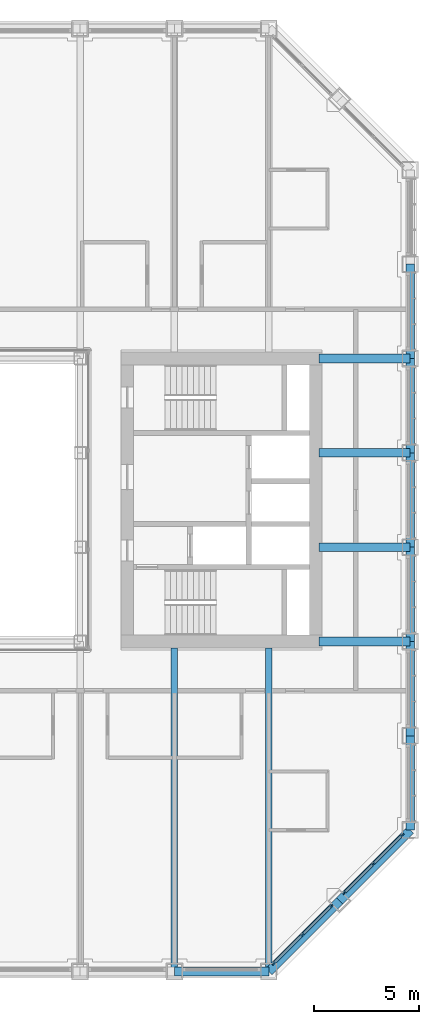
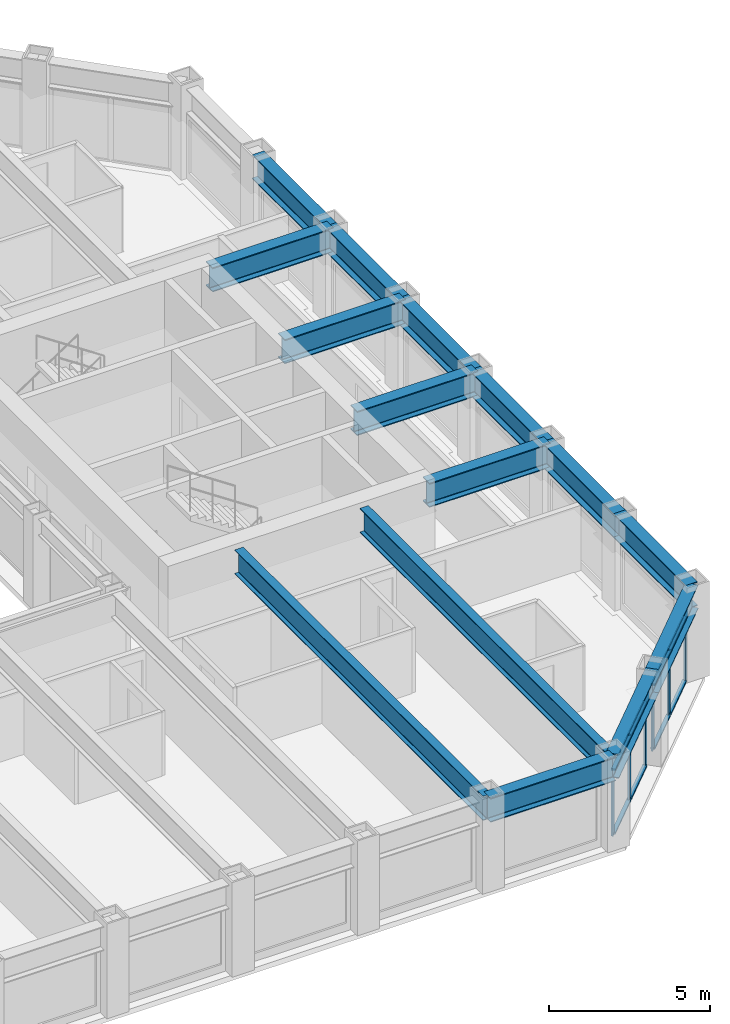
# One storey, part 6 of 17: 15 beams, 14 members, 2 elements without a shape of their own.
"""IFC4 building model written with IfcOpenShell, lengths in metres."""

from ifc_helpers import new_model, si_unit, direction, frame, origin, origin_2d, place, context, subcontext, project, spatial, rectangle, i_section, extrude, material, material_profile, profile_set, type_object, element, aggregate, save


model = new_model("IFC4")

# Units and contexts
model_context = context("Model", 3, precision=1e-05, world=origin(), true_north=direction((0.0, 1.0)))
body_context = subcontext(model_context, "Body", "Model", "MODEL_VIEW")
ifc_project = project(units=[si_unit("LENGTHUNIT", "METRE"), si_unit("AREAUNIT", "SQUARE_METRE"), si_unit("VOLUMEUNIT", "CUBIC_METRE"), si_unit("PLANEANGLEUNIT", "RADIAN"), si_unit("MASSUNIT", "GRAM", prefix="KILO")], contexts=[model_context])

# Site, building, storey
site_placement = place(None, origin())
site = spatial("IfcSite", under=ifc_project, at=site_placement, CompositionType="ELEMENT")
building_placement = place(site_placement, origin())
building = spatial("IfcBuilding", under=site, at=building_placement, Name="Msasa Ring Tower", CompositionType="ELEMENT")
storey_placement = place(building_placement, frame((0.0, 0.0, 136.39990234375)))
storey = spatial("IfcBuildingStorey", under=building, at=storey_placement, Name="L35", CompositionType="ELEMENT", Elevation=136.39990234375)

# Curtain wall, members
ifc_material_1 = material(Name="Aluminium curtain wall with clear glass", Category="aluminium")
curtain_wall_type = type_object("IfcCurtainWallType", Name="CW-C CHAMFER CORNER CURTAIN WALL", PredefinedType="NOTDEFINED", material=ifc_material_1)
curtain_wall_1_placement = place(storey_placement, origin())
curtain_wall_1 = element("IfcCurtainWall", 1, at=curtain_wall_1_placement, inside=storey, type_object=curtain_wall_type, Name="Chamfer corner curtain wall SE L35", PredefinedType="NOTDEFINED")
ifc_material_2 = material(Name="Aluminium mullion", Category="aluminium")
ifc_material_profile_1 = material_profile(ifc_material_2, rectangle(XDim=0.06494140625, YDim=0.179931640625, at=origin_2d()), Name="AL 65x180")
ifc_profile_set_1 = profile_set([ifc_material_profile_1], Name="Aluminium mullion")
member_type_1 = type_object("IfcMemberType", Name="CW-C MULLION 65x180", PredefinedType="MULLION", material=ifc_profile_set_1)
member_1_placement = place(storey_placement, frame((15.98876953125, -22.119873046875, 0.0), z_axis=(0.0, 0.0, 1.0), x_axis=(-0.707106781187, 0.707106781187, 0.0)))
member_1 = element("IfcMember", 2, at=member_1_placement, type_object=member_type_1, Name="CW-C mullion 1", PredefinedType="MULLION", context=body_context, shape_type="SweptSolid", body=[
    extrude(rectangle(XDim=0.06494140625, YDim=0.179931640625, at=origin_2d()), origin(), (0.0, 0.0, 1.0), 2.47900390625),
])
member_2_placement = place(storey_placement, frame((17.36669921875, -20.74169921875, 0.0), z_axis=(0.0, 0.0, 1.0), x_axis=(-0.707106781187, 0.707106781187, 0.0)))
member_2 = element("IfcMember", 3, at=member_2_placement, type_object=member_type_1, Name="CW-C mullion 2", PredefinedType="MULLION", context=body_context, shape_type="SweptSolid", body=[
    extrude(rectangle(XDim=0.06494140625, YDim=0.179931640625, at=origin_2d()), origin(), (0.0, 0.0, 1.0), 2.47900390625),
])
member_3_placement = place(storey_placement, frame((18.744873046875, -19.36376953125, 0.0), z_axis=(0.0, 0.0, 1.0), x_axis=(-0.707106781187, 0.707106781187, 0.0)))
member_3 = element("IfcMember", 4, at=member_3_placement, type_object=member_type_1, Name="CW-C mullion 3", PredefinedType="MULLION", context=body_context, shape_type="SweptSolid", body=[
    extrude(rectangle(XDim=0.06494140625, YDim=0.179931640625, at=origin_2d()), origin(), (0.0, 0.0, 1.0), 2.47900390625),
])

curtain_wall_2_placement = place(storey_placement, origin())
curtain_wall_2 = element("IfcCurtainWall", 5, at=curtain_wall_2_placement, inside=storey, type_object=curtain_wall_type, Name="Chamfer corner curtain wall SE L35", PredefinedType="NOTDEFINED")
member_4_placement = place(storey_placement, frame((19.36376953125, -18.744873046875, 0.0), z_axis=(0.0, 0.0, 1.0), x_axis=(-0.707106781187, 0.707106781187, 0.0)))
member_4 = element("IfcMember", 6, at=member_4_placement, type_object=member_type_1, Name="CW-C mullion 1", PredefinedType="MULLION", context=body_context, shape_type="SweptSolid", body=[
    extrude(rectangle(XDim=0.06494140625, YDim=0.179931640625, at=origin_2d()), origin(), (0.0, 0.0, 1.0), 2.47900390625),
])
member_5_placement = place(storey_placement, frame((20.74169921875, -17.36669921875, 0.0), z_axis=(0.0, 0.0, 1.0), x_axis=(-0.707106781187, 0.707106781187, 0.0)))
member_5 = element("IfcMember", 7, at=member_5_placement, type_object=member_type_1, Name="CW-C mullion 2", PredefinedType="MULLION", context=body_context, shape_type="SweptSolid", body=[
    extrude(rectangle(XDim=0.06494140625, YDim=0.179931640625, at=origin_2d()), origin(), (0.0, 0.0, 1.0), 2.47900390625),
])
member_6_placement = place(storey_placement, frame((22.119873046875, -15.98876953125, 0.0), z_axis=(0.0, 0.0, 1.0), x_axis=(-0.707106781187, 0.707106781187, 0.0)))
member_6 = element("IfcMember", 8, at=member_6_placement, type_object=member_type_1, Name="CW-C mullion 3", PredefinedType="MULLION", context=body_context, shape_type="SweptSolid", body=[
    extrude(rectangle(XDim=0.06494140625, YDim=0.179931640625, at=origin_2d()), origin(), (0.0, 0.0, 1.0), 2.47900390625),
])

# Member
ifc_material_3 = material(Name="Aluminium transom", Category="aluminium")
ifc_material_profile_2 = material_profile(ifc_material_3, rectangle(XDim=0.139892578125, YDim=0.06494140625, at=origin_2d()), Name="AL 65x140")
ifc_profile_set_2 = profile_set([ifc_material_profile_2], Name="Aluminium transom")
member_type_2 = type_object("IfcMemberType", Name="CW-C TRANSOM 65x140", PredefinedType="USERDEFINED", material=ifc_profile_set_2)
member_7_placement = place(storey_placement, frame((16.01171875, -22.096923828125, 0.03271484375), z_axis=(0.707106781187, 0.707106781187, 0.0), x_axis=(-0.707106781187, 0.707106781187, 0.0)))
member_7 = element("IfcMember", 9, at=member_7_placement, type_object=member_type_2, Name="CW-C transom 1.1", ObjectType="TRANSOM", PredefinedType="USERDEFINED", context=body_context, shape_type="SweptSolid", body=[
    extrude(rectangle(XDim=0.139892578125, YDim=0.06494140625, at=origin_2d()), origin(), (0.0, 0.0, 1.0), 1.8837890625),
])

member_8_placement = place(storey_placement, frame((16.01171875, -22.096923828125, 2.446533203125), z_axis=(0.707106781187, 0.707106781187, 0.0), x_axis=(-0.707106781187, 0.707106781187, 0.0)))
member_8 = element("IfcMember", 10, at=member_8_placement, type_object=member_type_2, Name="CW-C transom 1.2", ObjectType="TRANSOM", PredefinedType="USERDEFINED", context=body_context, shape_type="SweptSolid", body=[
    extrude(rectangle(XDim=0.139892578125, YDim=0.06494140625, at=origin_2d()), origin(), (0.0, 0.0, 1.0), 1.8837890625),
])

member_9_placement = place(storey_placement, frame((17.389892578125, -20.71875, 0.03271484375), z_axis=(0.707106781187, 0.707106781187, 0.0), x_axis=(-0.707106781187, 0.707106781187, 0.0)))
member_9 = element("IfcMember", 11, at=member_9_placement, type_object=member_type_2, Name="CW-C transom 2.1", ObjectType="TRANSOM", PredefinedType="USERDEFINED", context=body_context, shape_type="SweptSolid", body=[
    extrude(rectangle(XDim=0.139892578125, YDim=0.06494140625, at=origin_2d()), origin(), (0.0, 0.0, 1.0), 1.8837890625),
])

member_10_placement = place(storey_placement, frame((17.389892578125, -20.71875, 2.446533203125), z_axis=(0.707106781187, 0.707106781187, 0.0), x_axis=(-0.707106781187, 0.707106781187, 0.0)))
member_10 = element("IfcMember", 12, at=member_10_placement, type_object=member_type_2, Name="CW-C transom 2.2", ObjectType="TRANSOM", PredefinedType="USERDEFINED", context=body_context, shape_type="SweptSolid", body=[
    extrude(rectangle(XDim=0.139892578125, YDim=0.06494140625, at=origin_2d()), origin(), (0.0, 0.0, 1.0), 1.8837890625),
])

aggregate(curtain_wall_1, [member_1, member_2, member_3, member_7, member_8, member_9, member_10])

member_11_placement = place(storey_placement, frame((19.38671875, -18.721923828125, 0.03271484375), z_axis=(0.707106781187, 0.707106781187, 0.0), x_axis=(-0.707106781187, 0.707106781187, 0.0)))
member_11 = element("IfcMember", 13, at=member_11_placement, type_object=member_type_2, Name="CW-C transom 1.1", ObjectType="TRANSOM", PredefinedType="USERDEFINED", context=body_context, shape_type="SweptSolid", body=[
    extrude(rectangle(XDim=0.139892578125, YDim=0.06494140625, at=origin_2d()), origin(), (0.0, 0.0, 1.0), 1.8837890625),
])

member_12_placement = place(storey_placement, frame((19.38671875, -18.721923828125, 2.446533203125), z_axis=(0.707106781187, 0.707106781187, 0.0), x_axis=(-0.707106781187, 0.707106781187, 0.0)))
member_12 = element("IfcMember", 14, at=member_12_placement, type_object=member_type_2, Name="CW-C transom 1.2", ObjectType="TRANSOM", PredefinedType="USERDEFINED", context=body_context, shape_type="SweptSolid", body=[
    extrude(rectangle(XDim=0.139892578125, YDim=0.06494140625, at=origin_2d()), origin(), (0.0, 0.0, 1.0), 1.8837890625),
])

member_13_placement = place(storey_placement, frame((20.764892578125, -17.34375, 0.03271484375), z_axis=(0.707106781187, 0.707106781187, 0.0), x_axis=(-0.707106781187, 0.707106781187, 0.0)))
member_13 = element("IfcMember", 15, at=member_13_placement, type_object=member_type_2, Name="CW-C transom 2.1", ObjectType="TRANSOM", PredefinedType="USERDEFINED", context=body_context, shape_type="SweptSolid", body=[
    extrude(rectangle(XDim=0.139892578125, YDim=0.06494140625, at=origin_2d()), origin(), (0.0, 0.0, 1.0), 1.8837890625),
])

member_14_placement = place(storey_placement, frame((20.764892578125, -17.34375, 2.446533203125), z_axis=(0.707106781187, 0.707106781187, 0.0), x_axis=(-0.707106781187, 0.707106781187, 0.0)))
member_14 = element("IfcMember", 16, at=member_14_placement, type_object=member_type_2, Name="CW-C transom 2.2", ObjectType="TRANSOM", PredefinedType="USERDEFINED", context=body_context, shape_type="SweptSolid", body=[
    extrude(rectangle(XDim=0.139892578125, YDim=0.06494140625, at=origin_2d()), origin(), (0.0, 0.0, 1.0), 1.8837890625),
])

aggregate(curtain_wall_2, [member_4, member_5, member_6, member_11, member_12, member_13, member_14])

# Beams
ifc_material_4 = material(Name="Steel S355", Category="steel")
ifc_material_profile_3 = material_profile(ifc_material_4, i_section(OverallWidth=0.42041015625, OverallDepth=0.9208984375, WebThickness=0.021484375, FlangeThickness=0.03662109375, FilletRadius=0.024169921875, at=origin_2d()), Name="UB 914x419x388")
ifc_profile_set_3 = profile_set([ifc_material_profile_3], Name="Steel S355")
beam_type_1 = type_object("IfcBeamType", Name="FB2 UB 914x419x388", PredefinedType="BEAM", material=ifc_profile_set_3)
for number, where, z_axis, x_axis, name in (
    (17, (22.5, -2.25, 2.939697265625), (-1.0, 0.0, 0.0), (0.0, -1.0, 0.0), "Floor beam E -2.25 under L36"),
    (18, (22.5, 2.25, 2.939697265625), (-1.0, 0.0, 0.0), (0.0, -1.0, 0.0), "Floor beam E +2.25 under L36"),
):
    element("IfcBeam", number, at=place(storey_placement, frame(where, z_axis=z_axis, x_axis=x_axis)), inside=storey, type_object=beam_type_1, Name=name, PredefinedType="BEAM", context=body_context, shape_type="SweptSolid", body=[
        extrude(i_section(OverallWidth=0.42041015625, OverallDepth=0.9208984375, WebThickness=0.021484375, FlangeThickness=0.03662109375, FilletRadius=0.024169921875, at=origin_2d()), origin(), (0.0, 0.0, 1.0), 4.35009765625),
    ])
ifc_material_5 = material(Name="Steel S355", Category="steel")
ifc_material_profile_4 = material_profile(ifc_material_5, i_section(OverallWidth=0.3076171875, OverallDepth=0.926513671875, WebThickness=0.01953125, FlangeThickness=0.031982421875, FilletRadius=0.01904296875, at=origin_2d()), Name="UB 914x305x289")
ifc_profile_set_4 = profile_set([ifc_material_profile_4], Name="Steel S355")
beam_type_2 = type_object("IfcBeamType", Name="FB3 UB 914x305x289", PredefinedType="BEAM", material=ifc_profile_set_4)
for number, where, z_axis, x_axis, name in (
    (19, (11.25, -22.5, 2.936767578125), (0.0, 1.0, 0.0), (-1.0, 0.0, 0.0), "Floor beam S+11.25 under L36"),
    (20, (15.75, -22.5, 2.936767578125), (0.0, 1.0, 0.0), (-1.0, 0.0, 0.0), "Floor beam S+15.75 under L36"),
):
    element("IfcBeam", number, at=place(storey_placement, frame(where, z_axis=z_axis, x_axis=x_axis)), inside=storey, type_object=beam_type_2, Name=name, PredefinedType="BEAM", context=body_context, shape_type="SweptSolid", body=[
        extrude(i_section(OverallWidth=0.3076171875, OverallDepth=0.926513671875, WebThickness=0.01953125, FlangeThickness=0.031982421875, FilletRadius=0.01904296875, at=origin_2d()), origin(), (0.0, 0.0, 1.0), 15.449951171875),
    ])
ifc_material_6 = material(Name="Steel S355", Category="steel")
ifc_material_profile_5 = material_profile(ifc_material_6, i_section(OverallWidth=0.42041015625, OverallDepth=0.9208984375, WebThickness=0.021484375, FlangeThickness=0.03662109375, FilletRadius=0.024169921875, at=origin_2d()), Name="UB 914x419x388")
ifc_profile_set_5 = profile_set([ifc_material_profile_5], Name="Steel S355")
beam_type_3 = type_object("IfcBeamType", Name="GB1 UB 914x419x388", PredefinedType="BEAM", material=ifc_profile_set_5)
for number, where, z_axis, x_axis, name in (
    (21, (18.14990234375, 6.75, 2.939697265625), (1.0, 0.0, 0.0), (0.0, 1.0, 0.0), "Girder E +6.75 under L36"),
    (22, (18.14990234375, -6.75, 2.939697265625), (1.0, 0.0, 0.0), (0.0, 1.0, 0.0), "Girder E -6.75 under L36"),
):
    element("IfcBeam", number, at=place(storey_placement, frame(where, z_axis=z_axis, x_axis=x_axis)), inside=storey, type_object=beam_type_3, Name=name, PredefinedType="BEAM", context=body_context, shape_type="SweptSolid", body=[
        extrude(i_section(OverallWidth=0.42041015625, OverallDepth=0.9208984375, WebThickness=0.021484375, FlangeThickness=0.03662109375, FilletRadius=0.024169921875, at=origin_2d()), origin(), (0.0, 0.0, 1.0), 4.35009765625),
    ])
ifc_material_7 = material(Name="Steel S355", Category="steel")
ifc_material_profile_6 = material_profile(ifc_material_7, i_section(OverallWidth=0.42041015625, OverallDepth=0.9208984375, WebThickness=0.021484375, FlangeThickness=0.03662109375, FilletRadius=0.024169921875, at=origin_2d()), Name="UB 914x419x388")
ifc_profile_set_6 = profile_set([ifc_material_profile_6], Name="Steel S355")
beam_type_4 = type_object("IfcBeamType", Name="SB1 UB 914x419x388", PredefinedType="SPANDREL", material=ifc_profile_set_6)
beam_placement = place(storey_placement, frame((11.25, -22.5, 2.939697265625), z_axis=(1.0, 0.0, 0.0), x_axis=(0.0, 1.0, 0.0)))
element("IfcBeam", 23, at=beam_placement, inside=storey, type_object=beam_type_4, Name="Spandrel S+11.25 to S+15.75 under L36", PredefinedType="SPANDREL", context=body_context, shape_type="SweptSolid", body=[
    extrude(i_section(OverallWidth=0.42041015625, OverallDepth=0.9208984375, WebThickness=0.021484375, FlangeThickness=0.03662109375, FilletRadius=0.024169921875, at=origin_2d()), origin(), (0.0, 0.0, 1.0), 4.5),
])
for number, where, z_axis, x_axis, name in (
    (24, (15.75, -22.5, 2.939697265625), (0.707106781187, 0.707106781187, 0.0), (-0.707106781187, 0.707106781187, 0.0), "Spandrel S+15.75 to SE under L36"),
    (25, (19.125, -19.125, 2.939697265625), (0.707106781187, 0.707106781187, 0.0), (-0.707106781187, 0.707106781187, 0.0), "Spandrel SE to E-15.75 under L36"),
):
    element("IfcBeam", number, at=place(storey_placement, frame(where, z_axis=z_axis, x_axis=x_axis)), inside=storey, type_object=beam_type_4, Name=name, PredefinedType="SPANDREL", context=body_context, shape_type="SweptSolid", body=[
        extrude(i_section(OverallWidth=0.42041015625, OverallDepth=0.9208984375, WebThickness=0.021484375, FlangeThickness=0.03662109375, FilletRadius=0.024169921875, at=origin_2d()), origin(), (0.0, 0.0, 1.0), 4.77294921875),
    ])
for number, where, z_axis, x_axis, name in (
    (26, (22.5, -15.75, 2.939697265625), (0.0, 1.0, 0.0), (-1.0, 0.0, 0.0), "Spandrel E-15.75 to E-11.25 under L36"),
    (27, (22.5, -11.25, 2.939697265625), (0.0, 1.0, 0.0), (-1.0, 0.0, 0.0), "Spandrel E-11.25 to E-6.75 under L36"),
    (28, (22.5, -6.75, 2.939697265625), (0.0, 1.0, 0.0), (-1.0, 0.0, 0.0), "Spandrel E-6.75 to E-2.25 under L36"),
    (29, (22.5, -2.25, 2.939697265625), (0.0, 1.0, 0.0), (-1.0, 0.0, 0.0), "Spandrel E-2.25 to E+2.25 under L36"),
    (30, (22.5, 2.25, 2.939697265625), (0.0, 1.0, 0.0), (-1.0, 0.0, 0.0), "Spandrel E+2.25 to E+6.75 under L36"),
    (31, (22.5, 6.75, 2.939697265625), (0.0, 1.0, 0.0), (-1.0, 0.0, 0.0), "Spandrel E+6.75 to E+11.25 under L36"),
):
    element("IfcBeam", number, at=place(storey_placement, frame(where, z_axis=z_axis, x_axis=x_axis)), inside=storey, type_object=beam_type_4, Name=name, PredefinedType="SPANDREL", context=body_context, shape_type="SweptSolid", body=[
        extrude(i_section(OverallWidth=0.42041015625, OverallDepth=0.9208984375, WebThickness=0.021484375, FlangeThickness=0.03662109375, FilletRadius=0.024169921875, at=origin_2d()), origin(), (0.0, 0.0, 1.0), 4.5),
    ])

save(model, "model.ifc")
